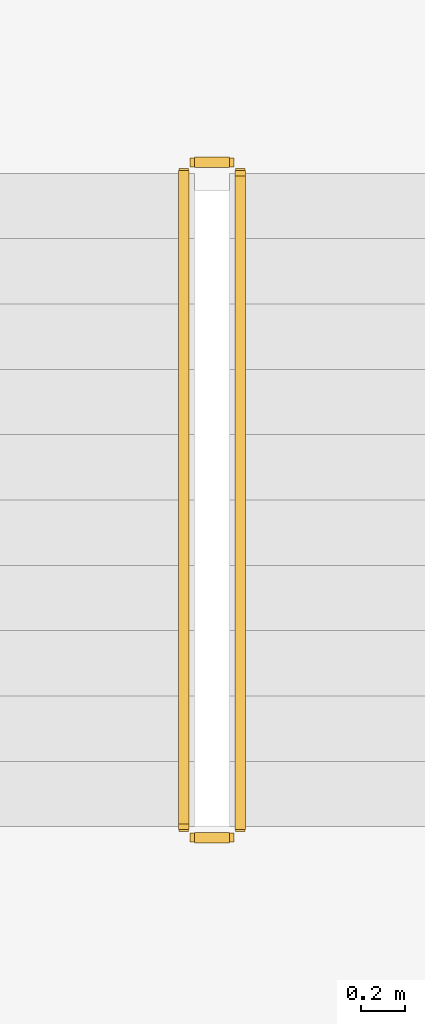
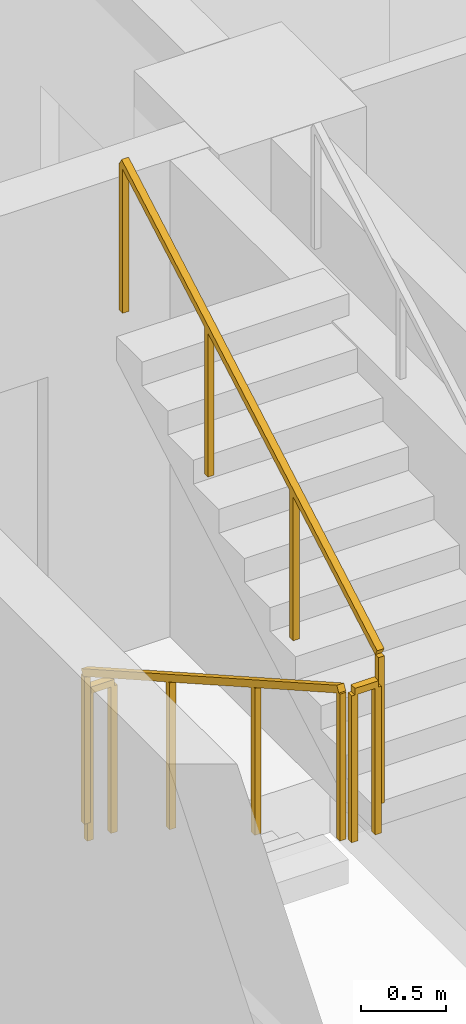
# One storey, part 8 of 11: 4 railings.
"""IFC4 building model written with IfcOpenShell, lengths in metres."""

from ifc_helpers import new_model, si_unit, direction, frame, origin, origin_2d, place, context, subcontext, project, spatial, rectangle, extrude, material, type_object, element, save


model = new_model("IFC4")

# Units and contexts
model_context = context("Model", 3, precision=1e-05, world=origin(), true_north=direction((0.0, 1.0)))
body_context = subcontext(model_context, "Body", "Model", "MODEL_VIEW")
ifc_project = project(units=[si_unit("LENGTHUNIT", "METRE"), si_unit("AREAUNIT", "SQUARE_METRE"), si_unit("VOLUMEUNIT", "CUBIC_METRE"), si_unit("PLANEANGLEUNIT", "RADIAN"), si_unit("MASSUNIT", "GRAM", prefix="KILO")], contexts=[model_context])

# Site, building, storey
site_placement = place(None, origin())
site = spatial("IfcSite", under=ifc_project, at=site_placement, CompositionType="ELEMENT")
building_placement = place(site_placement, origin())
building = spatial("IfcBuilding", under=site, at=building_placement, Name="Zulmaris Gate Convention Tower", CompositionType="ELEMENT")
storey_placement = place(building_placement, frame((0.0, 0.0, 278.06005859375)))
storey = spatial("IfcBuildingStorey", under=building, at=storey_placement, Name="L74", CompositionType="ELEMENT", Elevation=278.06005859375)

# Railings
ifc_material = material(Name="Painted Galvanised Steel", Category="steel")
railing_type = type_object("IfcRailingType", Name="RL-STG-1150", PredefinedType="GUARDRAIL", material=ifc_material)
railing_1_placement = place(storey_placement, frame((-13.27001953125, -2.0, 0.169921875)))
element("IfcRailing", 1, at=railing_1_placement, inside=storey, type_object=railing_type, Name="L74 ST-1 stair guard 1", PredefinedType="GUARDRAIL", context=body_context, shape_type="SweptSolid", body=[
    extrude(rectangle(XDim=0.048095703125, YDim=0.048095703125, at=origin_2d()), frame((0.0, 0.0, 1.076171875), z_axis=(0.0, -0.870028259722, 0.493001853226), x_axis=(1.0, 0.0, 0.0)), (0.0, 0.0, 1.0), 3.4482421875),
    extrude(rectangle(XDim=0.0419921875, YDim=0.0419921875, at=origin_2d()), origin(), (0.0, 0.0, 1.0), 1.052001953125),
    extrude(rectangle(XDim=0.0419921875, YDim=0.0419921875, at=origin_2d()), frame((0.0, -1.0, 0.566650390625)), (0.0, 0.0, 1.0), 1.052001953125),
    extrude(rectangle(XDim=0.0419921875, YDim=0.0419921875, at=origin_2d()), frame((0.0, -2.0, 1.13330078125)), (0.0, 0.0, 1.0), 1.052001953125),
    extrude(rectangle(XDim=0.0419921875, YDim=0.0419921875, at=origin_2d()), frame((0.0, -3.0, 1.699951171875)), (0.0, 0.0, 1.0), 1.052001953125),
])
railing_2_placement = place(storey_placement, frame((-13.219970703125, -5.050048828125, 1.869873046875)))
element("IfcRailing", 2, at=railing_2_placement, inside=storey, type_object=railing_type, Name="L74 ST-1 stair guard 2", PredefinedType="GUARDRAIL", context=body_context, shape_type="SweptSolid", body=[
    extrude(rectangle(XDim=0.048095703125, YDim=0.048095703125, at=origin_2d()), frame((0.0, 0.0, 1.076171875), z_axis=(1.0, 0.0, 0.0), x_axis=(0.0, 1.0, 0.0)), (0.0, 0.0, 1.0), 0.159912109375),
    extrude(rectangle(XDim=0.0419921875, YDim=0.0419921875, at=origin_2d()), origin(), (0.0, 0.0, 1.0), 1.052001953125),
    extrude(rectangle(XDim=0.0419921875, YDim=0.0419921875, at=origin_2d()), frame((0.159912109375, 0.0, 0.0)), (0.0, 0.0, 1.0), 1.052001953125),
])
railing_3_placement = place(storey_placement, frame((-13.010009765625, -5.0, 2.0400390625)))
element("IfcRailing", 3, at=railing_3_placement, inside=storey, type_object=railing_type, Name="L74 ST-1 stair guard 3", PredefinedType="GUARDRAIL", context=body_context, shape_type="SweptSolid", body=[
    extrude(rectangle(XDim=0.048095703125, YDim=0.048095703125, at=origin_2d()), frame((0.0, 0.0, 1.076171875), z_axis=(0.0, 0.870028259722, 0.493001853226), x_axis=(-1.0, 0.0, 0.0)), (0.0, 0.0, 1.0), 3.4482421875),
    extrude(rectangle(XDim=0.0419921875, YDim=0.0419921875, at=origin_2d()), origin(), (0.0, 0.0, 1.0), 1.052001953125),
    extrude(rectangle(XDim=0.0419921875, YDim=0.0419921875, at=origin_2d()), frame((0.0, 1.0, 0.566650390625)), (0.0, 0.0, 1.0), 1.052001953125),
    extrude(rectangle(XDim=0.0419921875, YDim=0.0419921875, at=origin_2d()), frame((0.0, 2.0, 1.13330078125)), (0.0, 0.0, 1.0), 1.052001953125),
    extrude(rectangle(XDim=0.0419921875, YDim=0.0419921875, at=origin_2d()), frame((0.0, 3.0, 1.699951171875)), (0.0, 0.0, 1.0), 1.052001953125),
])
railing_4_placement = place(storey_placement, frame((-13.219970703125, -1.949951171875, 0.0)))
element("IfcRailing", 4, at=railing_4_placement, inside=storey, type_object=railing_type, Name="L74 ST-1 stair guard 4", PredefinedType="GUARDRAIL", context=body_context, shape_type="SweptSolid", body=[
    extrude(rectangle(XDim=0.048095703125, YDim=0.048095703125, at=origin_2d()), frame((0.0, 0.0, 1.076171875), z_axis=(1.0, 0.0, 0.0), x_axis=(0.0, 1.0, 0.0)), (0.0, 0.0, 1.0), 0.159912109375),
    extrude(rectangle(XDim=0.0419921875, YDim=0.0419921875, at=origin_2d()), origin(), (0.0, 0.0, 1.0), 1.052001953125),
    extrude(rectangle(XDim=0.0419921875, YDim=0.0419921875, at=origin_2d()), frame((0.159912109375, 0.0, 0.0)), (0.0, 0.0, 1.0), 1.052001953125),
])

save(model, "model.ifc")
